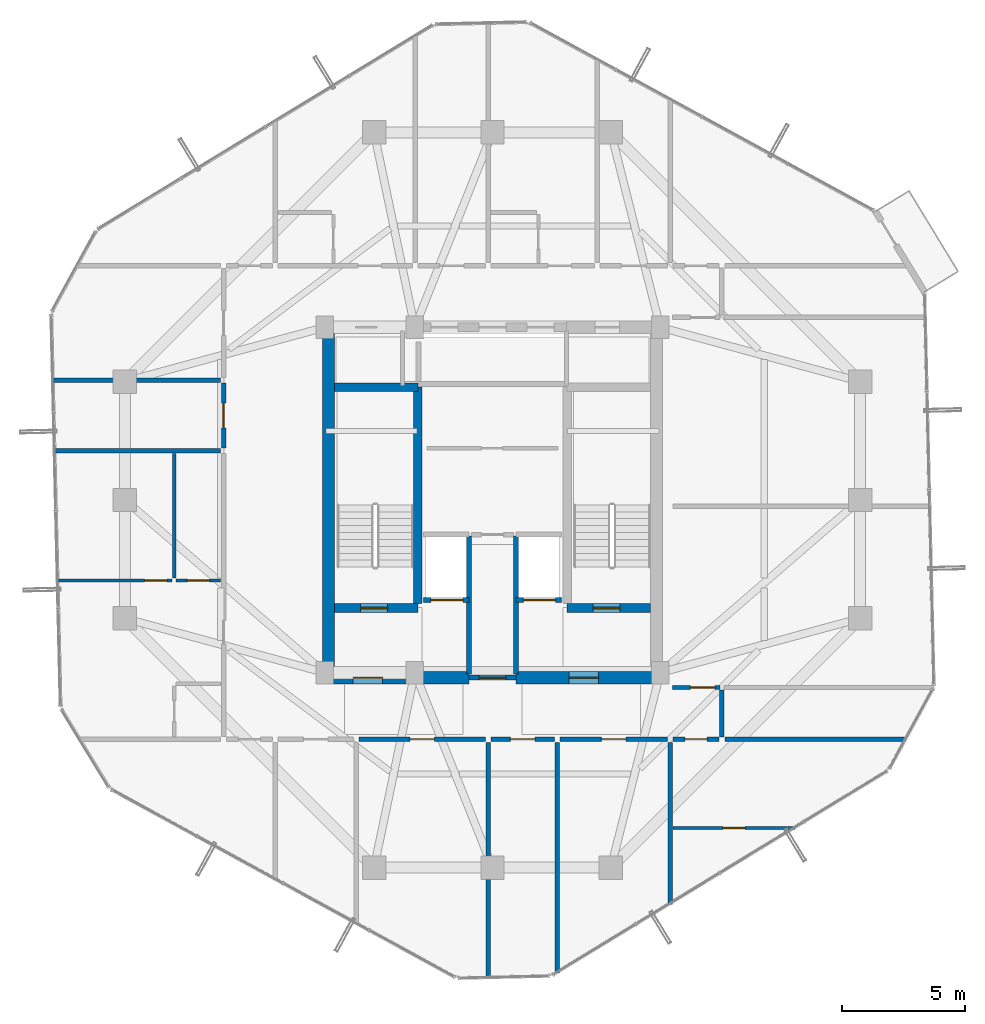
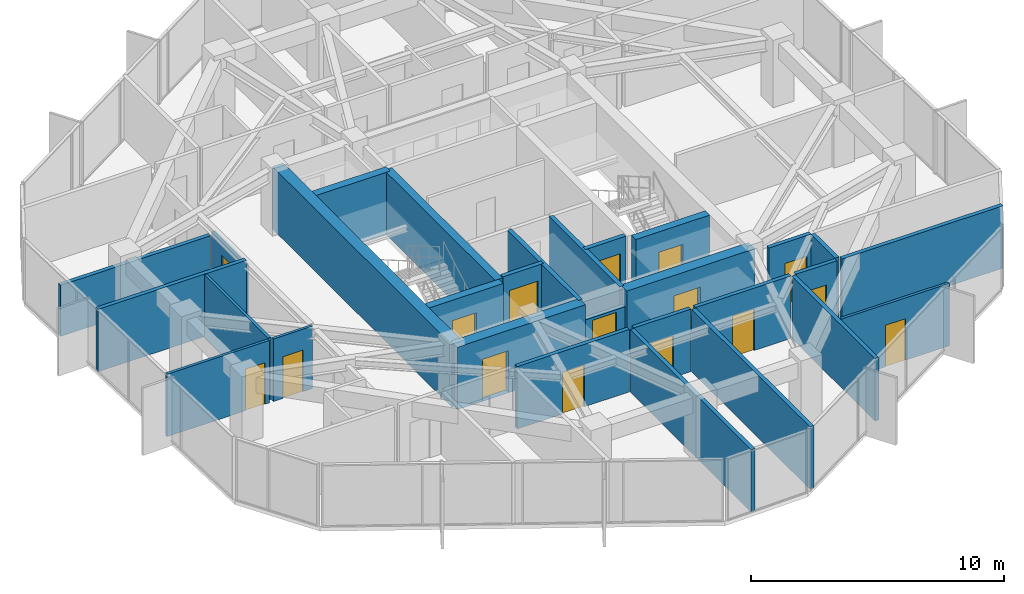
# One storey, part 28 of 32: 29 walls, 16 doors, 16 openings.
"""IFC4 building model written with IfcOpenShell, lengths in metres."""

import ifcopenshell
import ifcopenshell.guid

model = None  # the IFC model being written
_history = None  # IfcOwnerHistory: only IFC2X3 demands one
_inside = {}  # id of a spatial element -> (the spatial element, [elements in it])
_under = {}  # id of a project, library or spatial element -> (it, [spatial elements below it])
_declared = {}  # id of a project -> (the project, [libraries it declares])
_typed = {}  # id of a type object -> (the type object, [elements of that type])
_made_of = {}  # id of a material, layer set ... -> (it, [elements and type objects made of it])


def new_model(schema):
    """Start an empty IFC model of exactly this schema.

    Asked for "IFC4X3", IfcOpenShell would pick the latest addendum, in which some entities
    have other attributes; the version numbers below select the first issue.
    IFC2X3 requires an IfcOwnerHistory on every rooted entity: one is made here for all.
    """
    global model, _history
    if schema == "IFC4X3":
        model = ifcopenshell.file(schema_version=(4, 3, 0, 0))
    else:
        model = ifcopenshell.file(schema=schema)
    _inside.clear()
    _under.clear()
    _declared.clear()
    _typed.clear()
    _made_of.clear()
    _history = None
    if model.schema == "IFC2X3":
        org = make("IfcOrganization", Name="unknown")
        user = make(
            "IfcPersonAndOrganization",
            ThePerson=make("IfcPerson", FamilyName="unknown"),
            TheOrganization=org,
        )
        app = make(
            "IfcApplication",
            ApplicationDeveloper=org,
            Version="unknown",
            ApplicationFullName="unknown",
            ApplicationIdentifier="unknown",
        )
        _history = make(
            "IfcOwnerHistory",
            OwningUser=user,
            OwningApplication=app,
            ChangeAction="ADDED",
            CreationDate=0,
        )
    return model


def make(cls, **values):
    """One entity of the class cls with the attributes given. An attribute that is None is left unset."""
    return model.create_entity(
        cls, **{name: value for name, value in values.items() if value is not None}
    )


def rooted(cls, **values):
    """An entity with a GlobalId (a new one), such as an element, a storey or a relation."""
    return make(cls, GlobalId=ifcopenshell.guid.new(), OwnerHistory=_history, **values)


def si_unit(unit_type, name, prefix=None):
    """IfcSIUnit, for example si_unit("LENGTHUNIT", "METRE", prefix="MILLI")."""
    return make("IfcSIUnit", UnitType=unit_type, Prefix=prefix, Name=name)


def assignment(units):
    """IfcUnitAssignment: the units of a project."""
    return None if units is None else make("IfcUnitAssignment", Units=units)


def point(xyz):
    """IfcCartesianPoint."""
    return None if xyz is None else make("IfcCartesianPoint", Coordinates=xyz)


def direction(xyz):
    """IfcDirection."""
    return None if xyz is None else make("IfcDirection", DirectionRatios=xyz)


def frame(location, z_axis=None, x_axis=None):
    """IfcAxis2Placement3D, a coordinate frame: its origin and axes. An axis left out is left unset."""
    return make(
        "IfcAxis2Placement3D",
        Location=point(location),
        Axis=direction(z_axis),
        RefDirection=direction(x_axis),
    )


def frame_2d(location, x_axis=None):
    """IfcAxis2Placement2D, a coordinate frame in the plane: its origin and x axis."""
    return make(
        "IfcAxis2Placement2D", Location=point(location), RefDirection=direction(x_axis)
    )


def origin():
    """The frame at (0, 0, 0) with its axes left unset."""
    return frame((0.0, 0.0, 0.0))


def place(relative_to, where):
    """IfcLocalPlacement: puts the frame where relative to a parent placement (None: the world)."""
    return make(
        "IfcLocalPlacement", PlacementRelTo=relative_to, RelativePlacement=where
    )


def context(
    kind, dimensions, precision=None, world=None, true_north=None, identifier=None
):
    """IfcGeometricRepresentationContext, for example the 3D "Model" context."""
    return make(
        "IfcGeometricRepresentationContext",
        ContextIdentifier=identifier,
        ContextType=kind,
        CoordinateSpaceDimension=dimensions,
        Precision=precision,
        WorldCoordinateSystem=world,
        TrueNorth=true_north,
    )


def subcontext(parent, identifier, kind, view, scale=None):
    """IfcGeometricRepresentationSubContext, for example "Body" below "Model"."""
    return make(
        "IfcGeometricRepresentationSubContext",
        ContextIdentifier=identifier,
        ContextType=kind,
        ParentContext=parent,
        TargetScale=scale,
        TargetView=view,
    )


def project(units=None, contexts=None):
    """IfcProject with its units and contexts."""
    return rooted(
        "IfcProject",
        Name="project",
        RepresentationContexts=contexts,
        UnitsInContext=assignment(units),
    )


def spatial(cls, under=None, at=None, **own):
    """A site, building, storey or space (cls), placed at a placement, below another one or the project."""
    s = rooted(cls, ObjectPlacement=at, **own)
    if under is not None:
        _under.setdefault(under.id(), (under, []))[1].append(s)
    return s


def profile(cls, at=None, kind="AREA", **sizes):
    """A parametric profile (cls). Its sizes go by their IFC names, for example OverallWidth=200.0."""
    return make(cls, ProfileType=kind, Position=at, **sizes)


def rectangle(**sizes):
    """IfcRectangleProfileDef."""
    return profile("IfcRectangleProfileDef", **sizes)


def extrude(swept, where, along, depth):
    """IfcExtrudedAreaSolid: the profile swept, set in the frame where, extruded along a direction by depth."""
    return make(
        "IfcExtrudedAreaSolid",
        SweptArea=swept,
        Position=where,
        ExtrudedDirection=direction(along),
        Depth=depth,
    )


def shape(context_of_items, identifier, shape_type, items):
    """IfcShapeRepresentation: the items that make up one representation, for example the "Body"."""
    return make(
        "IfcShapeRepresentation",
        ContextOfItems=context_of_items,
        RepresentationIdentifier=identifier,
        RepresentationType=shape_type,
        Items=items,
    )


def source(mapping_origin, context_of_items, identifier, shape_type, items):
    """IfcRepresentationMap: a shape defined once, which mapped items show again and again."""
    return make(
        "IfcRepresentationMap",
        MappingOrigin=mapping_origin,
        MappedRepresentation=shape(context_of_items, identifier, shape_type, items),
    )


def transform(
    local_origin,
    x_axis=None,
    y_axis=None,
    z_axis=None,
    scale=None,
    scale2=None,
    scale3=None,
    uniform=True,
):
    """IfcCartesianTransformationOperator3D, or its non-uniform kind. x_axis, y_axis, z_axis: its Axis1, 2, 3."""
    if uniform:
        return make(
            "IfcCartesianTransformationOperator3D",
            Axis1=direction(x_axis),
            Axis2=direction(y_axis),
            LocalOrigin=point(local_origin),
            Scale=scale,
            Axis3=direction(z_axis),
        )
    return make(
        "IfcCartesianTransformationOperator3DnonUniform",
        Axis1=direction(x_axis),
        Axis2=direction(y_axis),
        LocalOrigin=point(local_origin),
        Scale=scale,
        Axis3=direction(z_axis),
        Scale2=scale2,
        Scale3=scale3,
    )


def mapped(mapping_source, mapping_target):
    """IfcMappedItem: shows the shape of a source again, moved by a transform."""
    return make(
        "IfcMappedItem", MappingSource=mapping_source, MappingTarget=mapping_target
    )


def material(Name=None, Category=None):
    """IfcMaterial."""
    return make("IfcMaterial", Name=Name, Category=Category)


def layer(
    of_material, thickness, ventilated=None, Name=None, Category=None, Priority=None
):
    """IfcMaterialLayer: one layer of a wall or slab, of a material (None: an air gap)."""
    return make(
        "IfcMaterialLayer",
        Material=of_material,
        LayerThickness=thickness,
        IsVentilated=ventilated,
        Name=Name,
        Category=Category,
        Priority=Priority,
    )


def layer_set(layers, Name=None):
    """IfcMaterialLayerSet."""
    return make("IfcMaterialLayerSet", MaterialLayers=layers, LayerSetName=Name)


def made_of(thing, what):
    """Note that an element or type object is made of a material, layer set ...; save() writes the relation."""
    if what is not None:
        _made_of.setdefault(what.id(), (what, []))[1].append(thing)
    return thing


def type_object(cls, material=None, **own):
    """A type object (cls), such as IfcWallType, which elements share."""
    return made_of(rooted(cls, **own), material)


def element(
    cls,
    number,
    at=None,
    inside=None,
    cuts=None,
    type_object=None,
    material=None,
    context=None,
    identifier="Body",
    shape_type=None,
    held_by="IfcProductDefinitionShape",
    body=None,
    shapes=None,
    **own,
):
    """One element of the class cls, such as IfcWall. Its Tag is "e" and its number.

    at: its placement. inside: the storey or other place that contains it. cuts: it is an
    opening in that element (IfcRelVoidsElement). A single representation is given by context,
    identifier, shape_type and body (its items); several are given by shapes. held_by: the class
    of the entity that holds the representations. save() writes the other relations.
    """
    e = rooted(cls, Tag="e%d" % number, ObjectPlacement=at, **own)
    if body is not None:
        shapes = [shape(context, identifier, shape_type, body)]
    if shapes is not None:
        e.Representation = make(held_by, Representations=shapes)
    if inside is not None:
        _inside.setdefault(inside.id(), (inside, []))[1].append(e)
    if cuts is not None:
        rooted(
            "IfcRelVoidsElement", RelatingBuildingElement=cuts, RelatedOpeningElement=e
        )
    if type_object is not None:
        _typed.setdefault(type_object.id(), (type_object, []))[1].append(e)
    return made_of(e, material)


def fill(opening, filler):
    """IfcRelFillsElement: the door or window that sits in an opening."""
    return rooted(
        "IfcRelFillsElement",
        RelatingOpeningElement=opening,
        RelatedBuildingElement=filler,
    )


def aggregate(whole, parts):
    """IfcRelAggregates: a whole, such as a stair, and the parts it consists of."""
    return rooted("IfcRelAggregates", RelatingObject=whole, RelatedObjects=parts)


def save(model, path):
    """Write the relations noted so far, then the file.

    IfcRelAggregates (storeys below a building ...), IfcRelContainedInSpatialStructure (elements
    in a storey), IfcRelDefinesByType, IfcRelAssociatesMaterial and IfcRelDeclares: one each for
    every whole, place, type object, material and project.
    """
    for whole, parts in _under.values():
        aggregate(whole, parts)
    for where, things in _inside.values():
        rooted(
            "IfcRelContainedInSpatialStructure",
            RelatedElements=things,
            RelatingStructure=where,
        )
    for kind, things in _typed.values():
        rooted("IfcRelDefinesByType", RelatedObjects=things, RelatingType=kind)
    for what, things in _made_of.values():
        rooted("IfcRelAssociatesMaterial", RelatedObjects=things, RelatingMaterial=what)
    for by, libraries in _declared.values():
        rooted("IfcRelDeclares", RelatingContext=by, RelatedDefinitions=libraries)
    model.write(path)


model = new_model("IFC4")

# Units and contexts
model_context = context("Model", 3, precision=1e-05, world=origin(), true_north=direction((0.0, 1.0)))
body_context = subcontext(model_context, "Body", "Model", "MODEL_VIEW")
ifc_project = project(units=[si_unit("LENGTHUNIT", "METRE"), si_unit("AREAUNIT", "SQUARE_METRE"), si_unit("VOLUMEUNIT", "CUBIC_METRE"), si_unit("PLANEANGLEUNIT", "RADIAN"), si_unit("MASSUNIT", "GRAM", prefix="KILO")], contexts=[model_context])

# Site, building, storey
site_placement = place(None, origin())
site = spatial("IfcSite", under=ifc_project, at=site_placement, CompositionType="ELEMENT")
building_placement = place(site_placement, origin())
building = spatial("IfcBuilding", under=site, at=building_placement, Name="Veraguas Prism Commons", CompositionType="ELEMENT")
storey_placement = place(building_placement, frame((0.0, 0.0, 201.60009765625)))
storey = spatial("IfcBuildingStorey", under=building, at=storey_placement, Name="L57", CompositionType="ELEMENT", Elevation=201.60009765625)

# Wall, opening, door
ifc_material_1 = material(Name="Concrete C50/60", Category="concrete")
ifc_layer_1 = layer(ifc_material_1, 0.35009765625, Name="Core Internal Shear Wall Upper RC 350", Category="concrete")
ifc_layer_set_1 = layer_set([ifc_layer_1], Name="Concrete C50/60")
wall_type_1 = type_object("IfcWallType", Name="Core Internal Shear Wall Upper RC 350", PredefinedType="SHEAR", material=ifc_layer_set_1)
wall_1_placement = place(storey_placement, frame((17.60009765625, 19.625, 0.0), z_axis=(0.0, 0.0, 1.0), x_axis=(1.0, 0.0, 0.0)))
wall_1 = element("IfcWall", 1, at=wall_1_placement, inside=storey, type_object=wall_type_1, Name="Stair ST-01 South Shear Wall L57", PredefinedType="SHEAR", context=body_context, shape_type="SweptSolid", body=[
    extrude(rectangle(XDim=3.375, YDim=0.35009765625, at=frame_2d((1.6875, 0.0))), origin(), (0.0, 0.0, 1.0), 3.014892578125),
])
opening_1_placement = place(wall_1_placement, frame((1.050048828125, 0.0, 0.0)))
opening_1 = element("IfcOpeningElement", 2, at=opening_1_placement, cuts=wall_1, Name="Opening DR-05", PredefinedType="OPENING", context=body_context, shape_type="SweptSolid", body=[
    extrude(rectangle(XDim=1.10009765625, YDim=2.030029296875, at=frame_2d((0.550048828125, 1.01513671875))), frame((0.0, 0.18505859375, 0.0), z_axis=(0.0, -1.0, 0.0), x_axis=(1.0, 0.0, 0.0)), (0.0, 0.0, 1.0), 0.3701171875),
])
ifc_material_2 = material(Name="Steel fire-rated door assembly", Category="steel")
door_type_1 = type_object("IfcDoorType", Name="Protected Stair and Refuge Fire Door 1100x2030", OperationType="NOTDEFINED", PredefinedType="DOOR", material=ifc_material_2)
shared_shape_1 = source(origin(), body_context, "Body", "SweptSolid", [
    extrude(rectangle(XDim=1.10009765625, YDim=2.030029296875, at=frame_2d((0.550048828125, 1.01513671875))), frame((0.0, 0.02490234375, 0.0), z_axis=(0.0, -1.0, 0.0), x_axis=(1.0, 0.0, 0.0)), (0.0, 0.0, 1.0), 0.050048828125),
])
door_1_placement = place(opening_1_placement, origin())
door_1 = element("IfcDoor", 3, at=door_1_placement, inside=storey, type_object=door_type_1, Name="Stair ST-01 Enclosure Door L57", OperationType="SINGLE_SWING_RIGHT", OverallHeight=2.030029296875, OverallWidth=1.10009765625, PredefinedType="DOOR", context=body_context, shape_type="MappedRepresentation", body=[
    mapped(shared_shape_1, transform((0.0, 0.0, 0.0), scale=1.0)),
])
fill(opening_1, door_1)

wall_2_placement = place(storey_placement, frame((27.02490234375, 19.625, 0.0), z_axis=(0.0, 0.0, 1.0), x_axis=(1.0, 0.0, 0.0)))
wall_2 = element("IfcWall", 4, at=wall_2_placement, inside=storey, type_object=wall_type_1, Name="Stair ST-02 South Shear Wall L57", PredefinedType="SHEAR", context=body_context, shape_type="SweptSolid", body=[
    extrude(rectangle(XDim=3.375, YDim=0.35009765625, at=frame_2d((1.6875, 0.0))), origin(), (0.0, 0.0, 1.0), 3.014892578125),
])
opening_2_placement = place(wall_2_placement, frame((1.050048828125, 0.0, 0.0)))
opening_2 = element("IfcOpeningElement", 5, at=opening_2_placement, cuts=wall_2, Name="Opening DR-05", PredefinedType="OPENING", context=body_context, shape_type="SweptSolid", body=[
    extrude(rectangle(XDim=1.10009765625, YDim=2.030029296875, at=frame_2d((0.550048828125, 1.01513671875))), frame((0.0, 0.18505859375, 0.0), z_axis=(0.0, -1.0, 0.0), x_axis=(1.0, 0.0, 0.0)), (0.0, 0.0, 1.0), 0.3701171875),
])
door_2_placement = place(opening_2_placement, origin())
door_2 = element("IfcDoor", 6, at=door_2_placement, inside=storey, type_object=door_type_1, Name="Stair ST-02 Enclosure Door L57", OperationType="SINGLE_SWING_LEFT", OverallHeight=2.030029296875, OverallWidth=1.10009765625, PredefinedType="DOOR", context=body_context, shape_type="MappedRepresentation", body=[
    mapped(shared_shape_1, transform((0.0, 0.0, 0.0), scale=1.0)),
])
fill(opening_2, door_2)

# Walls
wall_3_placement = place(storey_placement, frame((20.97509765625, 19.800048828125, 0.0), z_axis=(0.0, 0.0, 1.0), x_axis=(0.0, 1.0, 0.0)))
element("IfcWall", 7, at=wall_3_placement, inside=storey, type_object=wall_type_1, Name="Stair ST-01 Inner Shear Wall L57", PredefinedType="SHEAR", context=body_context, shape_type="SweptSolid", body=[
    extrude(rectangle(XDim=8.77490234375, YDim=0.35009765625, at=frame_2d((4.387451171875, 0.0))), origin(), (0.0, 0.0, 1.0), 3.014892578125),
])
wall_4_placement = place(storey_placement, frame((17.60009765625, 28.574951171875, 0.0), z_axis=(0.0, 0.0, 1.0), x_axis=(1.0, 0.0, 0.0)))
element("IfcWall", 8, at=wall_4_placement, inside=storey, type_object=wall_type_1, Name="Stair ST-01 North Shear Wall L57", PredefinedType="SHEAR", context=body_context, shape_type="SweptSolid", body=[
    extrude(rectangle(XDim=3.375, YDim=0.35009765625, at=frame_2d((1.6875, 0.0))), origin(), (0.0, 0.0, 1.0), 3.014892578125),
])
ifc_layer_2 = layer(ifc_material_1, 0.5, Name="Core Outer Shear Wall Upper RC 500", Category="concrete")
ifc_layer_set_2 = layer_set([ifc_layer_2], Name="Concrete C50/60")
wall_type_2 = type_object("IfcWallType", Name="Core Outer Shear Wall Upper RC 500", PredefinedType="SHEAR", material=ifc_layer_set_2)
wall_5_placement = place(storey_placement, frame((17.35009765625, 16.800048828125, 0.0), z_axis=(0.0, 0.0, 1.0), x_axis=(0.0, 1.0, 0.0)))
element("IfcWall", 9, at=wall_5_placement, inside=storey, type_object=wall_type_2, Name="Central Core West Shear Wall L57", PredefinedType="SHEAR", context=body_context, shape_type="SweptSolid", body=[
    extrude(rectangle(XDim=14.199951171875, YDim=0.5, at=frame_2d((7.10009765625, 0.0))), origin(), (0.0, 0.0, 1.0), 3.014892578125),
])

# Wall, opening, door
wall_6_placement = place(storey_placement, frame((17.199951171875, 16.800048828125, 0.0), z_axis=(0.0, 0.0, 1.0), x_axis=(1.0, 0.0, 0.0)))
wall_6 = element("IfcWall", 10, at=wall_6_placement, inside=storey, type_object=wall_type_2, Name="Central Core South-West Shear Wall L57", PredefinedType="SHEAR", context=body_context, shape_type="SweptSolid", body=[
    extrude(rectangle(XDim=5.85009765625, YDim=0.5, at=frame_2d((2.925048828125, 0.0))), origin(), (0.0, 0.0, 1.0), 3.014892578125),
])
opening_3_placement = place(wall_6_placement, frame((1.14990234375, 0.0, 0.0)))
opening_3 = element("IfcOpeningElement", 11, at=opening_3_placement, cuts=wall_6, Name="Opening DR-06", PredefinedType="OPENING", context=body_context, shape_type="SweptSolid", body=[
    extrude(rectangle(XDim=1.199951171875, YDim=2.030029296875, at=frame_2d((0.60009765625, 1.01513671875))), frame((0.0, 0.260009765625, 0.0), z_axis=(0.0, -1.0, 0.0), x_axis=(1.0, 0.0, 0.0)), (0.0, 0.0, 1.0), 0.52001953125),
])
door_type_2 = type_object("IfcDoorType", Name="Firefighting Lobby Smoke Door 1200x2030", OperationType="NOTDEFINED", PredefinedType="DOOR", material=ifc_material_2)
shared_shape_2 = source(origin(), body_context, "Body", "SweptSolid", [
    extrude(rectangle(XDim=1.199951171875, YDim=2.030029296875, at=frame_2d((0.60009765625, 1.01513671875))), frame((0.0, 0.02490234375, 0.0), z_axis=(0.0, -1.0, 0.0), x_axis=(1.0, 0.0, 0.0)), (0.0, 0.0, 1.0), 0.050048828125),
])
door_3_placement = place(opening_3_placement, origin())
door_3 = element("IfcDoor", 12, at=door_3_placement, inside=storey, type_object=door_type_2, Name="West FF Lobby Door L57", OperationType="SINGLE_SWING_LEFT", OverallHeight=2.030029296875, OverallWidth=1.199951171875, PredefinedType="DOOR", context=body_context, shape_type="MappedRepresentation", body=[
    mapped(shared_shape_2, transform((0.0, 0.0, 0.0), scale=1.0)),
])
fill(opening_3, door_3)

wall_7_placement = place(storey_placement, frame((24.949951171875, 16.800048828125, 0.0), z_axis=(0.0, 0.0, 1.0), x_axis=(1.0, 0.0, 0.0)))
wall_7 = element("IfcWall", 13, at=wall_7_placement, inside=storey, type_object=wall_type_2, Name="Central Core South-East Shear Wall L57", PredefinedType="SHEAR", context=body_context, shape_type="SweptSolid", body=[
    extrude(rectangle(XDim=5.85009765625, YDim=0.5, at=frame_2d((2.925048828125, 0.0))), origin(), (0.0, 0.0, 1.0), 3.014892578125),
])
opening_4_placement = place(wall_7_placement, frame((2.14990234375, 0.0, 0.0)))
opening_4 = element("IfcOpeningElement", 14, at=opening_4_placement, cuts=wall_7, Name="Opening DR-06", PredefinedType="OPENING", context=body_context, shape_type="SweptSolid", body=[
    extrude(rectangle(XDim=1.199951171875, YDim=2.030029296875, at=frame_2d((0.60009765625, 1.01513671875))), frame((0.0, 0.260009765625, 0.0), z_axis=(0.0, -1.0, 0.0), x_axis=(1.0, 0.0, 0.0)), (0.0, 0.0, 1.0), 0.52001953125),
])
door_4_placement = place(opening_4_placement, origin())
door_4 = element("IfcDoor", 15, at=door_4_placement, inside=storey, type_object=door_type_2, Name="East FF Lobby Door L57", OperationType="SINGLE_SWING_LEFT", OverallHeight=2.030029296875, OverallWidth=1.199951171875, PredefinedType="DOOR", context=body_context, shape_type="MappedRepresentation", body=[
    mapped(shared_shape_2, transform((0.0, 0.0, 0.0), scale=1.0)),
])
fill(opening_4, door_4)

# Wall
ifc_material_3 = material(Name="Autoclaved aerated masonry block 10 MPa", Category="masonry")
ifc_layer_3 = layer(ifc_material_3, 0.179931640625, Name="Corridor and Inter-Tenancy Partition 180", Category="masonry")
ifc_layer_set_3 = layer_set([ifc_layer_3], Name="Autoclaved aerated masonry block 10 MPa")
wall_type_3 = type_object("IfcWallType", Name="Corridor and Inter-Tenancy Partition 180", PredefinedType="PARTITIONING", material=ifc_layer_set_3)
wall_8_placement = place(storey_placement, frame((31.199951171875, 14.179931640625, 0.0), z_axis=(0.0, 0.0, 1.0), x_axis=(0.0, -1.0, 0.0)))
element("IfcWall", 16, at=wall_8_placement, inside=storey, type_object=wall_type_3, Name="WL-L57-PT002", PredefinedType="PARTITIONING", context=body_context, shape_type="SweptSolid", body=[
    extrude(rectangle(XDim=6.567138671875, YDim=0.179931640625, at=frame_2d((3.28369140625, 0.0))), origin(), (0.0, 0.0, 1.0), 3.014892578125),
])

# Wall, opening, door
wall_9_placement = place(storey_placement, frame((18.5859375, 14.300048828125, 0.0), z_axis=(0.0, 0.0, 1.0), x_axis=(1.0, 0.0, 0.0)))
wall_9 = element("IfcWall", 17, at=wall_9_placement, inside=storey, type_object=wall_type_3, Name="WL-L57-PT004", PredefinedType="PARTITIONING", context=body_context, shape_type="SweptSolid", body=[
    extrude(rectangle(XDim=5.1240234375, YDim=0.179931640625, at=frame_2d((2.56201171875, 0.0))), origin(), (0.0, 0.0, 1.0), 3.014892578125),
])
opening_5_placement = place(wall_9_placement, frame((2.06201171875, 0.0, 0.0)))
opening_5 = element("IfcOpeningElement", 18, at=opening_5_placement, cuts=wall_9, Name="Opening DR-13", PredefinedType="OPENING", context=body_context, shape_type="SweptSolid", body=[
    extrude(rectangle(XDim=1.0, YDim=2.010009765625, at=frame_2d((0.5, 1.0048828125))), frame((0.0, 0.099853515625, 0.0), z_axis=(0.0, -1.0, 0.0), x_axis=(1.0, 0.0, 0.0)), (0.0, 0.0, 1.0), 0.199951171875),
])
door_type_3 = type_object("IfcDoorType", Name="Core Accessible WC and Clinic Fire Door 1000x2010", OperationType="NOTDEFINED", PredefinedType="DOOR", material=ifc_material_2)
shared_shape_3 = source(origin(), body_context, "Body", "SweptSolid", [
    extrude(rectangle(XDim=1.0, YDim=2.010009765625, at=frame_2d((0.5, 1.0048828125))), frame((0.0, 0.02490234375, 0.0), z_axis=(0.0, -1.0, 0.0), x_axis=(1.0, 0.0, 0.0)), (0.0, 0.0, 1.0), 0.050048828125),
])
door_5_placement = place(opening_5_placement, origin())
door_5 = element("IfcDoor", 19, at=door_5_placement, inside=storey, type_object=door_type_3, Name="Co-op Store S Door", OperationType="SINGLE_SWING_LEFT", OverallHeight=2.010009765625, OverallWidth=1.0, PredefinedType="DOOR", context=body_context, shape_type="MappedRepresentation", body=[
    mapped(shared_shape_3, transform((0.0, 0.0, 0.0), scale=1.0)),
])
fill(opening_5, door_5)

# Wall
wall_10_placement = place(storey_placement, frame((23.820068359375, 14.179931640625, 0.0), z_axis=(0.0, 0.0, 1.0), x_axis=(0.0, -1.0, 0.0)))
element("IfcWall", 20, at=wall_10_placement, inside=storey, type_object=wall_type_3, Name="WL-L57-PT006", PredefinedType="PARTITIONING", context=body_context, shape_type="SweptSolid", body=[
    extrude(rectangle(XDim=9.562744140625, YDim=0.179931640625, at=frame_2d((4.78125, 0.0))), origin(), (0.0, 0.0, 1.0), 3.014892578125),
])

# Wall, opening, door
wall_11_placement = place(storey_placement, frame((23.929931640625, 14.300048828125, 0.0), z_axis=(0.0, 0.0, 1.0), x_axis=(1.0, 0.0, 0.0)))
wall_11 = element("IfcWall", 21, at=wall_11_placement, inside=storey, type_object=wall_type_3, Name="WL-L57-PT007", PredefinedType="PARTITIONING", context=body_context, shape_type="SweptSolid", body=[
    extrude(rectangle(XDim=2.583984375, YDim=0.179931640625, at=frame_2d((1.2919921875, 0.0))), origin(), (0.0, 0.0, 1.0), 3.014892578125),
])
opening_6_placement = place(wall_11_placement, frame((0.7919921875, 0.0, 0.0)))
opening_6 = element("IfcOpeningElement", 22, at=opening_6_placement, cuts=wall_11, Name="Opening DR-13", PredefinedType="OPENING", context=body_context, shape_type="SweptSolid", body=[
    extrude(rectangle(XDim=1.0, YDim=2.010009765625, at=frame_2d((0.5, 1.0048828125))), frame((0.0, 0.099853515625, 0.0), z_axis=(0.0, -1.0, 0.0), x_axis=(1.0, 0.0, 0.0)), (0.0, 0.0, 1.0), 0.199951171875),
])
door_6_placement = place(opening_6_placement, origin())
door_6 = element("IfcDoor", 23, at=door_6_placement, inside=storey, type_object=door_type_3, Name="Youth Homework Study Room Door", OperationType="SINGLE_SWING_RIGHT", OverallHeight=2.010009765625, OverallWidth=1.0, PredefinedType="DOOR", context=body_context, shape_type="MappedRepresentation", body=[
    mapped(shared_shape_3, transform((0.0, 0.0, 0.0), scale=1.0)),
])
fill(opening_6, door_6)

wall_12_placement = place(storey_placement, frame((26.73388671875, 14.300048828125, 0.0), z_axis=(0.0, 0.0, 1.0), x_axis=(1.0, 0.0, 0.0)))
wall_12 = element("IfcWall", 24, at=wall_12_placement, inside=storey, type_object=wall_type_3, Name="WL-L57-PT008", PredefinedType="PARTITIONING", context=body_context, shape_type="SweptSolid", body=[
    extrude(rectangle(XDim=4.356201171875, YDim=0.179931640625, at=frame_2d((2.17822265625, 0.0))), origin(), (0.0, 0.0, 1.0), 3.014892578125),
])
opening_7_placement = place(wall_12_placement, frame((1.677978515625, 0.0, 0.0)))
opening_7 = element("IfcOpeningElement", 25, at=opening_7_placement, cuts=wall_12, Name="Opening DR-13", PredefinedType="OPENING", context=body_context, shape_type="SweptSolid", body=[
    extrude(rectangle(XDim=1.0, YDim=2.010009765625, at=frame_2d((0.5, 1.0048828125))), frame((0.0, 0.099853515625, 0.0), z_axis=(0.0, -1.0, 0.0), x_axis=(1.0, 0.0, 0.0)), (0.0, 0.0, 1.0), 0.199951171875),
])
door_7_placement = place(opening_7_placement, origin())
door_7 = element("IfcDoor", 26, at=door_7_placement, inside=storey, type_object=door_type_3, Name="Co-op Store S Door", OperationType="SINGLE_SWING_LEFT", OverallHeight=2.010009765625, OverallWidth=1.0, PredefinedType="DOOR", context=body_context, shape_type="MappedRepresentation", body=[
    mapped(shared_shape_3, transform((0.0, 0.0, 0.0), scale=1.0)),
])
fill(opening_7, door_7)

# Walls
wall_13_placement = place(storey_placement, frame((26.6240234375, 14.179931640625, 0.0), z_axis=(0.0, 0.0, 1.0), x_axis=(0.0, -1.0, 0.0)))
element("IfcWall", 27, at=wall_13_placement, inside=storey, type_object=wall_type_3, Name="WL-L57-PT009", PredefinedType="PARTITIONING", context=body_context, shape_type="SweptSolid", body=[
    extrude(rectangle(XDim=9.35595703125, YDim=0.179931640625, at=frame_2d((4.677978515625, 0.0))), origin(), (0.0, 0.0, 1.0), 3.014892578125),
])
wall_14_placement = place(storey_placement, frame((12.97998046875, 26.00390625, 0.0), z_axis=(0.0, 0.0, 1.0), x_axis=(-1.0, 0.0, 0.0)))
element("IfcWall", 28, at=wall_14_placement, inside=storey, type_object=wall_type_3, Name="WL-L57-PT031", PredefinedType="PARTITIONING", context=body_context, shape_type="SweptSolid", body=[
    extrude(rectangle(XDim=6.772705078125, YDim=0.179931640625, at=frame_2d((3.38623046875, 0.0))), origin(), (0.0, 0.0, 1.0), 3.014892578125),
])

# Wall, opening, door
wall_15_placement = place(storey_placement, frame((13.10009765625, 26.114013671875, 0.0), z_axis=(0.0, 0.0, 1.0), x_axis=(0.0, 1.0, 0.0)))
wall_15 = element("IfcWall", 29, at=wall_15_placement, inside=storey, type_object=wall_type_3, Name="WL-L57-PT032", PredefinedType="PARTITIONING", context=body_context, shape_type="SweptSolid", body=[
    extrude(rectangle(XDim=2.6279296875, YDim=0.179931640625, at=frame_2d((1.31396484375, 0.0))), origin(), (0.0, 0.0, 1.0), 2.661865234375),
])
opening_8_placement = place(wall_15_placement, frame((0.81396484375, 0.0, 0.0)))
opening_8 = element("IfcOpeningElement", 30, at=opening_8_placement, cuts=wall_15, Name="Opening DR-13", PredefinedType="OPENING", context=body_context, shape_type="SweptSolid", body=[
    extrude(rectangle(XDim=1.0, YDim=2.010009765625, at=frame_2d((0.5, 1.0048828125))), frame((0.0, 0.099853515625, 0.0), z_axis=(0.0, -1.0, 0.0), x_axis=(1.0, 0.0, 0.0)), (0.0, 0.0, 1.0), 0.199951171875),
])
door_8_placement = place(opening_8_placement, origin())
door_8 = element("IfcDoor", 31, at=door_8_placement, inside=storey, type_object=door_type_3, Name="Residents Study Room Door", OperationType="SINGLE_SWING_RIGHT", OverallHeight=2.010009765625, OverallWidth=1.0, PredefinedType="DOOR", context=body_context, shape_type="MappedRepresentation", body=[
    mapped(shared_shape_3, transform((0.0, 0.0, 0.0), scale=1.0)),
])
fill(opening_8, door_8)

# Walls
wall_16_placement = place(storey_placement, frame((12.97998046875, 28.85205078125, 0.0), z_axis=(0.0, 0.0, 1.0), x_axis=(-1.0, 0.0, 0.0)))
element("IfcWall", 32, at=wall_16_placement, inside=storey, type_object=wall_type_3, Name="WL-L57-PT034", PredefinedType="PARTITIONING", context=body_context, shape_type="SweptSolid", body=[
    extrude(rectangle(XDim=6.84033203125, YDim=0.179931640625, at=frame_2d((3.420166015625, 0.0))), origin(), (0.0, 0.0, 1.0), 2.468994140625),
])
wall_17_placement = place(storey_placement, frame((33.300048828125, 14.39990234375, 0.0), z_axis=(0.0, 0.0, 1.0), x_axis=(0.0, 1.0, 0.0)))
element("IfcWall", 33, at=wall_17_placement, inside=storey, type_object=wall_type_3, Name="WL-L57-PT036", PredefinedType="PARTITIONING", context=body_context, shape_type="SweptSolid", body=[
    extrude(rectangle(XDim=1.900146484375, YDim=0.179931640625, at=frame_2d((0.9501953125, 0.0))), origin(), (0.0, 0.0, 1.0), 3.014892578125),
])

# Wall, opening, door
wall_18_placement = place(storey_placement, frame((31.300048828125, 16.39990234375, 0.0), z_axis=(0.0, 0.0, 1.0), x_axis=(1.0, 0.0, 0.0)))
wall_18 = element("IfcWall", 34, at=wall_18_placement, inside=storey, type_object=wall_type_3, Name="WL-L57-PT038", PredefinedType="PARTITIONING", context=body_context, shape_type="SweptSolid", body=[
    extrude(rectangle(XDim=1.919921875, YDim=0.179931640625, at=frame_2d((0.9599609375, 0.0))), origin(), (0.0, 0.0, 1.0), 3.014892578125),
])
opening_9_placement = place(wall_18_placement, frame((0.719970703125, 0.0, 0.0)))
opening_9 = element("IfcOpeningElement", 35, at=opening_9_placement, cuts=wall_18, Name="Opening DR-13", PredefinedType="OPENING", context=body_context, shape_type="SweptSolid", body=[
    extrude(rectangle(XDim=1.0, YDim=2.010009765625, at=frame_2d((0.5, 1.0048828125))), frame((0.0, 0.099853515625, 0.0), z_axis=(0.0, -1.0, 0.0), x_axis=(1.0, 0.0, 0.0)), (0.0, 0.0, 1.0), 0.199951171875),
])
door_9_placement = place(opening_9_placement, origin())
door_9 = element("IfcDoor", 36, at=door_9_placement, inside=storey, type_object=door_type_3, Name="Panorama Lounge Door L57", OperationType="SINGLE_SWING_RIGHT", OverallHeight=2.010009765625, OverallWidth=1.0, PredefinedType="DOOR", context=body_context, shape_type="MappedRepresentation", body=[
    mapped(shared_shape_3, transform((0.0, 0.0, 0.0), scale=1.0)),
])
fill(opening_9, door_9)

# Wall
wall_19_placement = place(storey_placement, frame((33.419921875, 14.300048828125, 0.0), z_axis=(0.0, 0.0, 1.0), x_axis=(1.0, 0.0, 0.0)))
element("IfcWall", 37, at=wall_19_placement, inside=storey, type_object=wall_type_3, Name="WL-L57-PT043", PredefinedType="PARTITIONING", context=body_context, shape_type="SweptSolid", body=[
    extrude(rectangle(XDim=7.356689453125, YDim=0.179931640625, at=frame_2d((3.67822265625, 0.0))), origin(), (0.0, 0.0, 1.0), 3.014892578125),
])

# Wall, opening, door
wall_20_placement = place(storey_placement, frame((31.320068359375, 14.300048828125, 0.0), z_axis=(0.0, 0.0, 1.0), x_axis=(1.0, 0.0, 0.0)))
wall_20 = element("IfcWall", 38, at=wall_20_placement, inside=storey, type_object=wall_type_3, Name="WL-L57-PT044", PredefinedType="PARTITIONING", context=body_context, shape_type="SweptSolid", body=[
    extrude(rectangle(XDim=1.85986328125, YDim=0.179931640625, at=frame_2d((0.929931640625, 0.0))), origin(), (0.0, 0.0, 1.0), 3.014892578125),
])
opening_10_placement = place(wall_20_placement, frame((0.47998046875, 0.0, 0.0)))
opening_10 = element("IfcOpeningElement", 39, at=opening_10_placement, cuts=wall_20, Name="Opening DR-14", PredefinedType="OPENING", context=body_context, shape_type="SweptSolid", body=[
    extrude(rectangle(XDim=0.89990234375, YDim=2.010009765625, at=frame_2d((0.449951171875, 1.0048828125))), frame((0.0, 0.099853515625, 0.0), z_axis=(0.0, -1.0, 0.0), x_axis=(1.0, 0.0, 0.0)), (0.0, 0.0, 1.0), 0.199951171875),
])
door_type_4 = type_object("IfcDoorType", Name="Core Service Room Fire Door 900x2010", OperationType="NOTDEFINED", PredefinedType="DOOR", material=ifc_material_2)
shared_shape_4 = source(origin(), body_context, "Body", "SweptSolid", [
    extrude(rectangle(XDim=0.89990234375, YDim=2.010009765625, at=frame_2d((0.449951171875, 1.0048828125))), frame((0.0, 0.02490234375, 0.0), z_axis=(0.0, -1.0, 0.0), x_axis=(1.0, 0.0, 0.0)), (0.0, 0.0, 1.0), 0.050048828125),
])
door_10_placement = place(opening_10_placement, origin())
door_10 = element("IfcDoor", 40, at=door_10_placement, inside=storey, type_object=door_type_4, Name="Corner Study SE Door", OperationType="SINGLE_SWING_LEFT", OverallHeight=2.010009765625, OverallWidth=0.89990234375, PredefinedType="DOOR", context=body_context, shape_type="MappedRepresentation", body=[
    mapped(shared_shape_4, transform((0.0, 0.0, 0.0), scale=1.0)),
])
fill(opening_10, door_10)

ifc_material_4 = material(Name="Lightweight acoustic gypsum board")
ifc_layer_4 = layer(ifc_material_4, 0.125, Name="Internal Apartment Room Partition 125")
ifc_layer_set_4 = layer_set([ifc_layer_4], Name="Lightweight acoustic gypsum board")
wall_type_4 = type_object("IfcWallType", Name="Internal Apartment Room Partition 125", PredefinedType="PARTITIONING", material=ifc_layer_set_4)
wall_21_placement = place(storey_placement, frame((12.97998046875, 20.737060546875, 0.0), z_axis=(0.0, 0.0, 1.0), x_axis=(-1.0, 0.0, 0.0)))
wall_21 = element("IfcWall", 41, at=wall_21_placement, inside=storey, type_object=wall_type_4, Name="WL-L57-PT028", PredefinedType="PARTITIONING", context=body_context, shape_type="SweptSolid", body=[
    extrude(rectangle(XDim=1.800048828125, YDim=0.125, at=frame_2d((0.89990234375, 0.0))), origin(), (0.0, 0.0, 1.0), 3.014892578125),
])
opening_11_placement = place(wall_21_placement, frame((0.449951171875, 0.0, 0.0)))
opening_11 = element("IfcOpeningElement", 42, at=opening_11_placement, cuts=wall_21, Name="Opening DR-02", PredefinedType="OPENING", context=body_context, shape_type="SweptSolid", body=[
    extrude(rectangle(XDim=0.89990234375, YDim=2.010009765625, at=frame_2d((0.449951171875, 1.0048828125))), frame((0.0, 0.072509765625, 0.0), z_axis=(0.0, -1.0, 0.0), x_axis=(1.0, 0.0, 0.0)), (0.0, 0.0, 1.0), 0.14501953125),
])
ifc_material_5 = material(Name="Timber solid core hardwood", Category="wood")
door_type_5 = type_object("IfcDoorType", Name="Internal Habitable Room Door 900x2010", OperationType="NOTDEFINED", PredefinedType="DOOR", material=ifc_material_5)
door_11_placement = place(opening_11_placement, origin())
door_11 = element("IfcDoor", 43, at=door_11_placement, inside=storey, type_object=door_type_5, Name="Flat 57C Kitchen Door", OperationType="SINGLE_SWING_RIGHT", OverallHeight=2.010009765625, OverallWidth=0.89990234375, PredefinedType="DOOR", context=body_context, shape_type="MappedRepresentation", body=[
    mapped(shared_shape_4, transform((0.0, 0.0, 0.0), scale=1.0)),
])
fill(opening_11, door_11)

# Wall
wall_22_placement = place(storey_placement, frame((11.10009765625, 20.8369140625, 0.0), z_axis=(0.0, 0.0, 1.0), x_axis=(0.0, 1.0, 0.0)))
element("IfcWall", 44, at=wall_22_placement, inside=storey, type_object=wall_type_4, Name="WL-L57-PT029", PredefinedType="PARTITIONING", context=body_context, shape_type="SweptSolid", body=[
    extrude(rectangle(XDim=5.047119140625, YDim=0.125, at=frame_2d((2.5234375, 0.0))), origin(), (0.0, 0.0, 1.0), 3.014892578125),
])

# Wall, opening, door
wall_23_placement = place(storey_placement, frame((11.0, 20.737060546875, 0.0), z_axis=(0.0, 0.0, 1.0), x_axis=(-1.0, 0.0, 0.0)))
wall_23 = element("IfcWall", 45, at=wall_23_placement, inside=storey, type_object=wall_type_4, Name="WL-L57-PT030", PredefinedType="PARTITIONING", context=body_context, shape_type="SweptSolid", body=[
    extrude(rectangle(XDim=4.667724609375, YDim=0.125, at=frame_2d((2.333984375, 0.0))), origin(), (0.0, 0.0, 1.0), 3.014892578125),
])
opening_12_placement = place(wall_23_placement, frame((0.199951171875, 0.0, 0.0)))
opening_12 = element("IfcOpeningElement", 46, at=opening_12_placement, cuts=wall_23, Name="Opening DR-02", PredefinedType="OPENING", context=body_context, shape_type="SweptSolid", body=[
    extrude(rectangle(XDim=0.89990234375, YDim=2.010009765625, at=frame_2d((0.449951171875, 1.0048828125))), frame((0.0, 0.072509765625, 0.0), z_axis=(0.0, -1.0, 0.0), x_axis=(1.0, 0.0, 0.0)), (0.0, 0.0, 1.0), 0.14501953125),
])
door_12_placement = place(opening_12_placement, origin())
door_12 = element("IfcDoor", 47, at=door_12_placement, inside=storey, type_object=door_type_5, Name="Flat 57C Bedroom 1 Door", OperationType="SINGLE_SWING_LEFT", OverallHeight=2.010009765625, OverallWidth=0.89990234375, PredefinedType="DOOR", context=body_context, shape_type="MappedRepresentation", body=[
    mapped(shared_shape_4, transform((0.0, 0.0, 0.0), scale=1.0)),
])
fill(opening_12, door_12)

wall_24_placement = place(storey_placement, frame((31.320068359375, 10.699951171875, 0.0), z_axis=(0.0, 0.0, 1.0), x_axis=(1.0, 0.0, 0.0)))
wall_24 = element("IfcWall", 48, at=wall_24_placement, inside=storey, type_object=wall_type_4, Name="WL-L57-PT045", PredefinedType="PARTITIONING", context=body_context, shape_type="SweptSolid", body=[
    extrude(rectangle(XDim=4.945556640625, YDim=0.125, at=frame_2d((2.47265625, 0.0))), origin(), (0.0, 0.0, 1.0), 3.014892578125),
])
opening_13_placement = place(wall_24_placement, frame((2.022705078125, 0.0, 0.0)))
opening_13 = element("IfcOpeningElement", 49, at=opening_13_placement, cuts=wall_24, Name="Opening DR-02", PredefinedType="OPENING", context=body_context, shape_type="SweptSolid", body=[
    extrude(rectangle(XDim=0.89990234375, YDim=2.010009765625, at=frame_2d((0.449951171875, 1.0048828125))), frame((0.0, 0.072509765625, 0.0), z_axis=(0.0, -1.0, 0.0), x_axis=(1.0, 0.0, 0.0)), (0.0, 0.0, 1.0), 0.14501953125),
])
door_13_placement = place(opening_13_placement, origin())
door_13 = element("IfcDoor", 50, at=door_13_placement, inside=storey, type_object=door_type_5, Name="Craft Room SE Door", OperationType="SINGLE_SWING_RIGHT", OverallHeight=2.010009765625, OverallWidth=0.89990234375, PredefinedType="DOOR", context=body_context, shape_type="MappedRepresentation", body=[
    mapped(shared_shape_4, transform((0.0, 0.0, 0.0), scale=1.0)),
])
fill(opening_13, door_13)

ifc_layer_5 = layer(ifc_material_3, 0.199951171875, Name="Rated Shaft and Lobby Block Wall 200", Category="masonry")
ifc_layer_set_5 = layer_set([ifc_layer_5], Name="Autoclaved aerated masonry block 10 MPa")
wall_type_5 = type_object("IfcWallType", Name="Rated Shaft and Lobby Block Wall 200", PredefinedType="SOLIDWALL", material=ifc_layer_set_5)
wall_25_placement = place(storey_placement, frame((23.050048828125, 16.800048828125, 0.0), z_axis=(0.0, 0.0, 1.0), x_axis=(1.0, 0.0, 0.0)))
wall_25 = element("IfcWall", 51, at=wall_25_placement, inside=storey, type_object=wall_type_5, Name="Central Core Lobby Entrance Wall L57", PredefinedType="SOLIDWALL", context=body_context, shape_type="SweptSolid", body=[
    extrude(rectangle(XDim=1.89990234375, YDim=0.199951171875, at=frame_2d((0.949951171875, 0.0))), origin(), (0.0, 0.0, 1.0), 2.164794921875),
])
opening_14_placement = place(wall_25_placement, frame((0.39990234375, 0.0, 0.0)))
opening_14 = element("IfcOpeningElement", 52, at=opening_14_placement, cuts=wall_25, Name="Opening DR-05", PredefinedType="OPENING", context=body_context, shape_type="SweptSolid", body=[
    extrude(rectangle(XDim=1.10009765625, YDim=2.030029296875, at=frame_2d((0.550048828125, 1.01513671875))), frame((0.0, 0.10986328125, 0.0), z_axis=(0.0, -1.0, 0.0), x_axis=(1.0, 0.0, 0.0)), (0.0, 0.0, 1.0), 0.219970703125),
])
door_14_placement = place(opening_14_placement, origin())
door_14 = element("IfcDoor", 53, at=door_14_placement, inside=storey, type_object=door_type_1, Name="Central Lobby Door L57", OperationType="SINGLE_SWING_RIGHT", OverallHeight=2.030029296875, OverallWidth=1.10009765625, PredefinedType="DOOR", context=body_context, shape_type="MappedRepresentation", body=[
    mapped(shared_shape_1, transform((0.0, 0.0, 0.0), scale=1.0)),
])
fill(opening_14, door_14)

wall_26_placement = place(storey_placement, frame((21.199951171875, 19.949951171875, 0.0), z_axis=(0.0, 0.0, 1.0), x_axis=(1.0, 0.0, 0.0)))
wall_26 = element("IfcWall", 54, at=wall_26_placement, inside=storey, type_object=wall_type_5, Name="Firefighting Lift FFL-1 Front Wall L57", PredefinedType="SOLIDWALL", context=body_context, shape_type="SweptSolid", body=[
    extrude(rectangle(XDim=1.85009765625, YDim=0.199951171875, at=frame_2d((0.925048828125, 0.0))), origin(), (0.0, 0.0, 1.0), 3.014892578125),
])
opening_15_placement = place(wall_26_placement, frame((0.300048828125, 0.0, 0.0)))
opening_15 = element("IfcOpeningElement", 55, at=opening_15_placement, cuts=wall_26, Name="Opening LD-02", PredefinedType="OPENING", context=body_context, shape_type="SweptSolid", body=[
    extrude(rectangle(XDim=1.300048828125, YDim=2.25, at=frame_2d((0.64990234375, 1.125))), frame((0.0, 0.10986328125, 0.0), z_axis=(0.0, -1.0, 0.0), x_axis=(1.0, 0.0, 0.0)), (0.0, 0.0, 1.0), 0.219970703125),
])
ifc_material_6 = material(Name="Stainless steel AISI 316", Category="steel")
door_type_6 = type_object("IfcDoorType", Name="Firefighting Lift Sliding Landing Door 1300x2250", OperationType="NOTDEFINED", PredefinedType="DOOR", material=ifc_material_6)
shared_shape_5 = source(origin(), body_context, "Body", "SweptSolid", [
    extrude(rectangle(XDim=1.300048828125, YDim=2.25, at=frame_2d((0.64990234375, 1.125))), frame((0.0, 0.02490234375, 0.0), z_axis=(0.0, -1.0, 0.0), x_axis=(1.0, 0.0, 0.0)), (0.0, 0.0, 1.0), 0.050048828125),
])
door_15_placement = place(opening_15_placement, origin())
door_15 = element("IfcDoor", 56, at=door_15_placement, inside=storey, type_object=door_type_6, Name="Firefighting Lift FFL-1 Landing Door L57", OperationType="SLIDING_TO_LEFT", OverallHeight=2.25, OverallWidth=1.300048828125, PredefinedType="DOOR", context=body_context, shape_type="MappedRepresentation", body=[
    mapped(shared_shape_5, transform((0.0, 0.0, 0.0), scale=1.0)),
])
fill(opening_15, door_15)

wall_27_placement = place(storey_placement, frame((24.949951171875, 19.949951171875, 0.0), z_axis=(0.0, 0.0, 1.0), x_axis=(1.0, 0.0, 0.0)))
wall_27 = element("IfcWall", 57, at=wall_27_placement, inside=storey, type_object=wall_type_5, Name="Firefighting Lift FFL-2 Front Wall L57", PredefinedType="SOLIDWALL", context=body_context, shape_type="SweptSolid", body=[
    extrude(rectangle(XDim=1.85009765625, YDim=0.199951171875, at=frame_2d((0.925048828125, 0.0))), origin(), (0.0, 0.0, 1.0), 3.014892578125),
])
opening_16_placement = place(wall_27_placement, frame((0.300048828125, 0.0, 0.0)))
opening_16 = element("IfcOpeningElement", 58, at=opening_16_placement, cuts=wall_27, Name="Opening LD-02", PredefinedType="OPENING", context=body_context, shape_type="SweptSolid", body=[
    extrude(rectangle(XDim=1.300048828125, YDim=2.25, at=frame_2d((0.64990234375, 1.125))), frame((0.0, 0.10986328125, 0.0), z_axis=(0.0, -1.0, 0.0), x_axis=(1.0, 0.0, 0.0)), (0.0, 0.0, 1.0), 0.219970703125),
])
door_16_placement = place(opening_16_placement, origin())
door_16 = element("IfcDoor", 59, at=door_16_placement, inside=storey, type_object=door_type_6, Name="Firefighting Lift FFL-2 Front Wall L57", OperationType="SLIDING_TO_LEFT", OverallHeight=2.25, OverallWidth=1.300048828125, PredefinedType="DOOR", context=body_context, shape_type="MappedRepresentation", body=[
    mapped(shared_shape_5, transform((0.0, 0.0, 0.0), scale=1.0)),
])
fill(opening_16, door_16)

# Walls
for number, where, z_axis, x_axis, name in (
    (60, (23.050048828125, 16.949951171875, 0.0), (0.0, 0.0, 1.0), (0.0, 1.0, 0.0), "West FF Lobby Divider Wall L57"),
    (61, (24.949951171875, 16.949951171875, 0.0), (0.0, 0.0, 1.0), (0.0, 1.0, 0.0), "East FF Lobby Divider Wall L57"),
):
    element("IfcWall", number, at=place(storey_placement, frame(where, z_axis=z_axis, x_axis=x_axis)), inside=storey, type_object=wall_type_5, Name=name, PredefinedType="SOLIDWALL", context=body_context, shape_type="SweptSolid", body=[
        extrude(rectangle(XDim=5.60009765625, YDim=0.199951171875, at=frame_2d((2.800048828125, 0.0))), origin(), (0.0, 0.0, 1.0), 3.014892578125),
    ])

save(model, "model.ifc")
